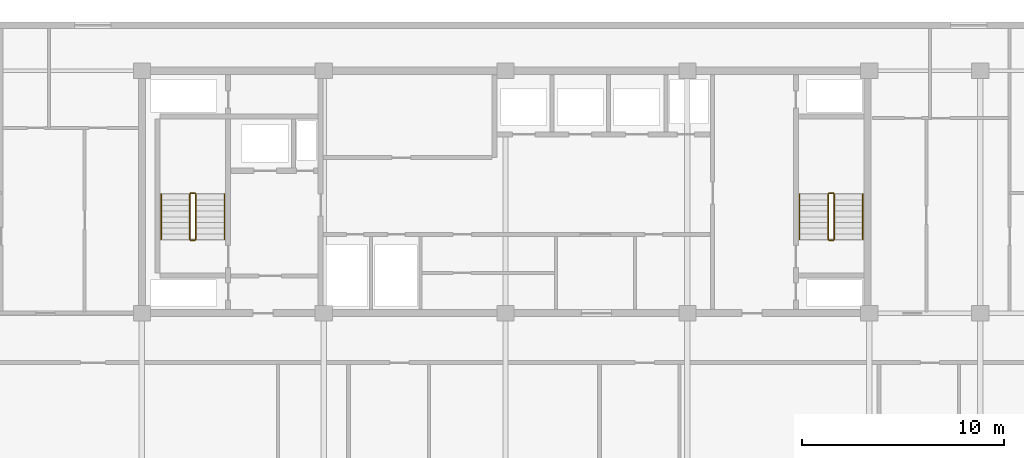
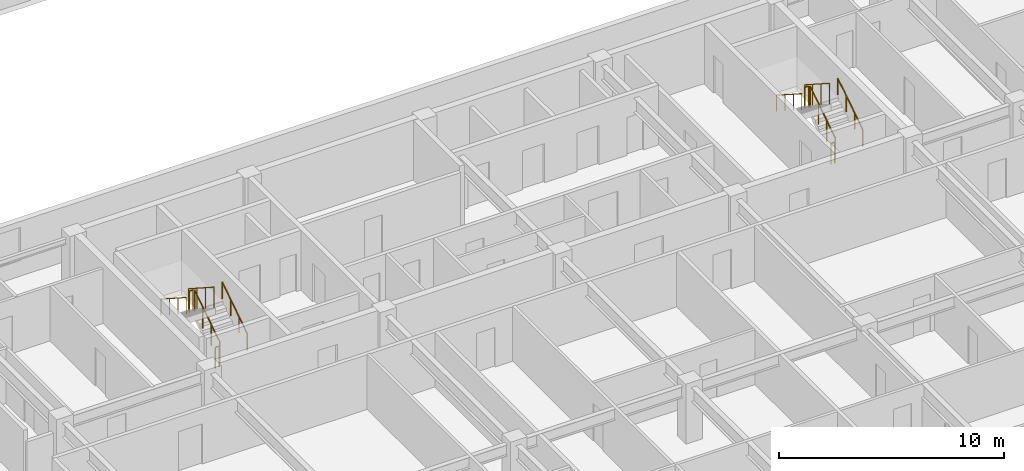
# One storey, part 19 of 22: 12 railings.
"""IFC4 building model written with IfcOpenShell, lengths in metres."""

from ifc_helpers import new_model, si_unit, direction, frame, origin, origin_2d, place, context, subcontext, project, spatial, circle, extrude, material, type_object, element, save


model = new_model("IFC4")

# Units and contexts
model_context = context("Model", 3, precision=1e-05, world=origin(), true_north=direction((0.0, 1.0)))
body_context = subcontext(model_context, "Body", "Model", "MODEL_VIEW")
ifc_project = project(units=[si_unit("LENGTHUNIT", "METRE"), si_unit("AREAUNIT", "SQUARE_METRE"), si_unit("VOLUMEUNIT", "CUBIC_METRE"), si_unit("PLANEANGLEUNIT", "RADIAN"), si_unit("MASSUNIT", "GRAM", prefix="KILO")], contexts=[model_context])

# Site, building, storey
site_placement = place(None, origin())
site = spatial("IfcSite", under=ifc_project, at=site_placement, CompositionType="ELEMENT")
building_placement = place(site_placement, origin())
building = spatial("IfcBuilding", under=site, at=building_placement, Name="Korimba Cascade Residences", CompositionType="ELEMENT")
storey_placement = place(building_placement, frame((0.0, 0.0, 110.050048828125)))
storey = spatial("IfcBuildingStorey", under=building, at=storey_placement, Name="L31", CompositionType="ELEMENT", Elevation=110.050048828125)

# Railings
ifc_material_1 = material(Name="Painted Steel Stairwell Guardrail", Category="steel")
railing_type_1 = type_object("IfcRailingType", Name="RLG-ST-GD1150", PredefinedType="GUARDRAIL", material=ifc_material_1)
railing_1_placement = place(storey_placement, frame((84.77001953125, 22.050048828125, 0.180419921875)))
element("IfcRailing", 1, at=railing_1_placement, inside=storey, type_object=railing_type_1, Name="L31 ST-E1 stair guard 1", PredefinedType="GUARDRAIL", context=body_context, shape_type="SweptSolid", body=[
    extrude(circle(Radius=0.02392578125, at=origin_2d()), frame((0.0, 0.0, 1.1259765625), z_axis=(0.0, 0.840394893359, 0.541974559565), x_axis=(-1.0, 0.0, 0.0)), (0.0, 0.0, 1.0), 2.665283203125),
    extrude(circle(Radius=0.02099609375, at=origin_2d()), origin(), (0.0, 0.0, 1.0), 1.101806640625),
    extrude(circle(Radius=0.02099609375, at=origin_2d()), frame((0.0, 0.74658203125, 0.4814453125)), (0.0, 0.0, 1.0), 1.101806640625),
    extrude(circle(Radius=0.02099609375, at=origin_2d()), frame((0.0, 1.493408203125, 0.963134765625)), (0.0, 0.0, 1.0), 1.101806640625),
    extrude(circle(Radius=0.02099609375, at=origin_2d()), frame((0.0, 2.239990234375, 1.444580078125)), (0.0, 0.0, 1.0), 1.101806640625),
])
railing_2_placement = place(storey_placement, frame((84.719970703125, 24.340087890625, 1.625)))
element("IfcRailing", 2, at=railing_2_placement, inside=storey, type_object=railing_type_1, Name="L31 ST-E1 stair guard 2", PredefinedType="GUARDRAIL", context=body_context, shape_type="SweptSolid", body=[
    extrude(circle(Radius=0.02392578125, at=origin_2d()), frame((0.0, 0.0, 1.1259765625), z_axis=(-1.0, 0.0, 0.0), x_axis=(0.0, -1.0, 0.0)), (0.0, 0.0, 1.0), 0.199951171875),
    extrude(circle(Radius=0.02099609375, at=origin_2d()), origin(), (0.0, 0.0, 1.0), 1.101806640625),
    extrude(circle(Radius=0.02099609375, at=origin_2d()), frame((-0.199951171875, 0.0, 0.0)), (0.0, 0.0, 1.0), 1.101806640625),
])
railing_3_placement = place(storey_placement, frame((84.469970703125, 24.2900390625, 1.805419921875)))
element("IfcRailing", 3, at=railing_3_placement, inside=storey, type_object=railing_type_1, Name="L31 ST-E1 stair guard 3", PredefinedType="GUARDRAIL", context=body_context, shape_type="SweptSolid", body=[
    extrude(circle(Radius=0.02392578125, at=origin_2d()), frame((0.0, 0.0, 1.1259765625), z_axis=(0.0, -0.840394893359, 0.541974559565), x_axis=(1.0, 0.0, 0.0)), (0.0, 0.0, 1.0), 2.665283203125),
    extrude(circle(Radius=0.02099609375, at=origin_2d()), origin(), (0.0, 0.0, 1.0), 1.101806640625),
    extrude(circle(Radius=0.02099609375, at=origin_2d()), frame((0.0, -0.74658203125, 0.4814453125)), (0.0, 0.0, 1.0), 1.101806640625),
    extrude(circle(Radius=0.02099609375, at=origin_2d()), frame((0.0, -1.493408203125, 0.963134765625)), (0.0, 0.0, 1.0), 1.101806640625),
    extrude(circle(Radius=0.02099609375, at=origin_2d()), frame((0.0, -2.239990234375, 1.444580078125)), (0.0, 0.0, 1.0), 1.101806640625),
])
railing_4_placement = place(storey_placement, frame((84.719970703125, 22.0, 0.0)))
element("IfcRailing", 4, at=railing_4_placement, inside=storey, type_object=railing_type_1, Name="L31 ST-E1 stair guard 4", PredefinedType="GUARDRAIL", context=body_context, shape_type="SweptSolid", body=[
    extrude(circle(Radius=0.02392578125, at=origin_2d()), frame((0.0, 0.0, 1.1259765625), z_axis=(-1.0, 0.0, 0.0), x_axis=(0.0, -1.0, 0.0)), (0.0, 0.0, 1.0), 0.199951171875),
    extrude(circle(Radius=0.02099609375, at=origin_2d()), origin(), (0.0, 0.0, 1.0), 1.101806640625),
    extrude(circle(Radius=0.02099609375, at=origin_2d()), frame((-0.199951171875, 0.0, 0.0)), (0.0, 0.0, 1.0), 1.101806640625),
])
railing_5_placement = place(storey_placement, frame((116.3701171875, 22.050048828125, 0.180419921875)))
element("IfcRailing", 5, at=railing_5_placement, inside=storey, type_object=railing_type_1, Name="L31 ST-E2 stair guard 1", PredefinedType="GUARDRAIL", context=body_context, shape_type="SweptSolid", body=[
    extrude(circle(Radius=0.02392578125, at=origin_2d()), frame((0.0, 0.0, 1.1259765625), z_axis=(0.0, 0.840394893359, 0.541974559565), x_axis=(-1.0, 0.0, 0.0)), (0.0, 0.0, 1.0), 2.665283203125),
    extrude(circle(Radius=0.02099609375, at=origin_2d()), origin(), (0.0, 0.0, 1.0), 1.101806640625),
    extrude(circle(Radius=0.02099609375, at=origin_2d()), frame((0.0, 0.74658203125, 0.4814453125)), (0.0, 0.0, 1.0), 1.101806640625),
    extrude(circle(Radius=0.02099609375, at=origin_2d()), frame((0.0, 1.493408203125, 0.963134765625)), (0.0, 0.0, 1.0), 1.101806640625),
    extrude(circle(Radius=0.02099609375, at=origin_2d()), frame((0.0, 2.239990234375, 1.444580078125)), (0.0, 0.0, 1.0), 1.101806640625),
])
railing_6_placement = place(storey_placement, frame((116.320068359375, 24.340087890625, 1.625)))
element("IfcRailing", 6, at=railing_6_placement, inside=storey, type_object=railing_type_1, Name="L31 ST-E2 stair guard 2", PredefinedType="GUARDRAIL", context=body_context, shape_type="SweptSolid", body=[
    extrude(circle(Radius=0.02392578125, at=origin_2d()), frame((0.0, 0.0, 1.1259765625), z_axis=(-1.0, 0.0, 0.0), x_axis=(0.0, -1.0, 0.0)), (0.0, 0.0, 1.0), 0.199951171875),
    extrude(circle(Radius=0.02099609375, at=origin_2d()), origin(), (0.0, 0.0, 1.0), 1.101806640625),
    extrude(circle(Radius=0.02099609375, at=origin_2d()), frame((-0.199951171875, 0.0, 0.0)), (0.0, 0.0, 1.0), 1.101806640625),
])
railing_7_placement = place(storey_placement, frame((116.070068359375, 24.2900390625, 1.805419921875)))
element("IfcRailing", 7, at=railing_7_placement, inside=storey, type_object=railing_type_1, Name="L31 ST-E2 stair guard 3", PredefinedType="GUARDRAIL", context=body_context, shape_type="SweptSolid", body=[
    extrude(circle(Radius=0.02392578125, at=origin_2d()), frame((0.0, 0.0, 1.1259765625), z_axis=(0.0, -0.840394893359, 0.541974559565), x_axis=(1.0, 0.0, 0.0)), (0.0, 0.0, 1.0), 2.665283203125),
    extrude(circle(Radius=0.02099609375, at=origin_2d()), origin(), (0.0, 0.0, 1.0), 1.101806640625),
    extrude(circle(Radius=0.02099609375, at=origin_2d()), frame((0.0, -0.74658203125, 0.4814453125)), (0.0, 0.0, 1.0), 1.101806640625),
    extrude(circle(Radius=0.02099609375, at=origin_2d()), frame((0.0, -1.493408203125, 0.963134765625)), (0.0, 0.0, 1.0), 1.101806640625),
    extrude(circle(Radius=0.02099609375, at=origin_2d()), frame((0.0, -2.239990234375, 1.444580078125)), (0.0, 0.0, 1.0), 1.101806640625),
])
railing_8_placement = place(storey_placement, frame((116.320068359375, 22.0, 0.0)))
element("IfcRailing", 8, at=railing_8_placement, inside=storey, type_object=railing_type_1, Name="L31 ST-E2 stair guard 4", PredefinedType="GUARDRAIL", context=body_context, shape_type="SweptSolid", body=[
    extrude(circle(Radius=0.02392578125, at=origin_2d()), frame((0.0, 0.0, 1.1259765625), z_axis=(-1.0, 0.0, 0.0), x_axis=(0.0, -1.0, 0.0)), (0.0, 0.0, 1.0), 0.199951171875),
    extrude(circle(Radius=0.02099609375, at=origin_2d()), origin(), (0.0, 0.0, 1.0), 1.101806640625),
    extrude(circle(Radius=0.02099609375, at=origin_2d()), frame((-0.199951171875, 0.0, 0.0)), (0.0, 0.0, 1.0), 1.101806640625),
])
ifc_material_2 = material(Name="Brushed Stainless Steel Handrail", Category="steel")
railing_type_2 = type_object("IfcRailingType", Name="RLG-ST-HR900", PredefinedType="HANDRAIL", material=ifc_material_2)
railing_9_placement = place(storey_placement, frame((86.18994140625, 22.050048828125, 0.364990234375)))
element("IfcRailing", 9, at=railing_9_placement, inside=storey, type_object=railing_type_2, Name="L31 ST-E1 stair handrail 1", PredefinedType="HANDRAIL", context=body_context, shape_type="SweptSolid", body=[
    extrude(circle(Radius=0.02392578125, at=origin_2d()), frame((0.0, 0.0, 0.8759765625), z_axis=(0.0, 0.840436612492, 0.541909863706), x_axis=(-1.0, 0.0, 0.0)), (0.0, 0.0, 1.0), 2.665283203125),
    extrude(circle(Radius=0.02099609375, at=origin_2d()), origin(), (0.0, 0.0, 1.0), 0.851806640625),
    extrude(circle(Radius=0.02099609375, at=origin_2d()), frame((0.0, 0.74658203125, 0.4814453125)), (0.0, 0.0, 1.0), 0.851806640625),
    extrude(circle(Radius=0.02099609375, at=origin_2d()), frame((0.0, 1.493408203125, 0.962890625)), (0.0, 0.0, 1.0), 0.851806640625),
    extrude(circle(Radius=0.02099609375, at=origin_2d()), frame((0.0, 2.239990234375, 1.4443359375)), (0.0, 0.0, 1.0), 0.851806640625),
])
railing_10_placement = place(storey_placement, frame((83.050048828125, 24.2900390625, 1.989990234375)))
element("IfcRailing", 10, at=railing_10_placement, inside=storey, type_object=railing_type_2, Name="L31 ST-E1 stair handrail 2", PredefinedType="HANDRAIL", context=body_context, shape_type="SweptSolid", body=[
    extrude(circle(Radius=0.02392578125, at=origin_2d()), frame((0.0, 0.0, 0.8759765625), z_axis=(0.0, -0.840436612492, 0.541909863706), x_axis=(1.0, 0.0, 0.0)), (0.0, 0.0, 1.0), 2.665283203125),
    extrude(circle(Radius=0.02099609375, at=origin_2d()), origin(), (0.0, 0.0, 1.0), 0.851806640625),
    extrude(circle(Radius=0.02099609375, at=origin_2d()), frame((0.0, -0.74658203125, 0.4814453125)), (0.0, 0.0, 1.0), 0.851806640625),
    extrude(circle(Radius=0.02099609375, at=origin_2d()), frame((0.0, -1.493408203125, 0.962890625)), (0.0, 0.0, 1.0), 0.851806640625),
    extrude(circle(Radius=0.02099609375, at=origin_2d()), frame((0.0, -2.239990234375, 1.4443359375)), (0.0, 0.0, 1.0), 0.851806640625),
])
railing_11_placement = place(storey_placement, frame((117.7900390625, 22.050048828125, 0.364990234375)))
element("IfcRailing", 11, at=railing_11_placement, inside=storey, type_object=railing_type_2, Name="L31 ST-E2 stair handrail 1", PredefinedType="HANDRAIL", context=body_context, shape_type="SweptSolid", body=[
    extrude(circle(Radius=0.02392578125, at=origin_2d()), frame((0.0, 0.0, 0.8759765625), z_axis=(0.0, 0.840436612492, 0.541909863706), x_axis=(-1.0, 0.0, 0.0)), (0.0, 0.0, 1.0), 2.665283203125),
    extrude(circle(Radius=0.02099609375, at=origin_2d()), origin(), (0.0, 0.0, 1.0), 0.851806640625),
    extrude(circle(Radius=0.02099609375, at=origin_2d()), frame((0.0, 0.74658203125, 0.4814453125)), (0.0, 0.0, 1.0), 0.851806640625),
    extrude(circle(Radius=0.02099609375, at=origin_2d()), frame((0.0, 1.493408203125, 0.962890625)), (0.0, 0.0, 1.0), 0.851806640625),
    extrude(circle(Radius=0.02099609375, at=origin_2d()), frame((0.0, 2.239990234375, 1.4443359375)), (0.0, 0.0, 1.0), 0.851806640625),
])
railing_12_placement = place(storey_placement, frame((114.64990234375, 24.2900390625, 1.989990234375)))
element("IfcRailing", 12, at=railing_12_placement, inside=storey, type_object=railing_type_2, Name="L31 ST-E2 stair handrail 2", PredefinedType="HANDRAIL", context=body_context, shape_type="SweptSolid", body=[
    extrude(circle(Radius=0.02392578125, at=origin_2d()), frame((0.0, 0.0, 0.8759765625), z_axis=(0.0, -0.840436612492, 0.541909863706), x_axis=(1.0, 0.0, 0.0)), (0.0, 0.0, 1.0), 2.665283203125),
    extrude(circle(Radius=0.02099609375, at=origin_2d()), origin(), (0.0, 0.0, 1.0), 0.851806640625),
    extrude(circle(Radius=0.02099609375, at=origin_2d()), frame((0.0, -0.74658203125, 0.4814453125)), (0.0, 0.0, 1.0), 0.851806640625),
    extrude(circle(Radius=0.02099609375, at=origin_2d()), frame((0.0, -1.493408203125, 0.962890625)), (0.0, 0.0, 1.0), 0.851806640625),
    extrude(circle(Radius=0.02099609375, at=origin_2d()), frame((0.0, -2.239990234375, 1.4443359375)), (0.0, 0.0, 1.0), 0.851806640625),
])

save(model, "model.ifc")
